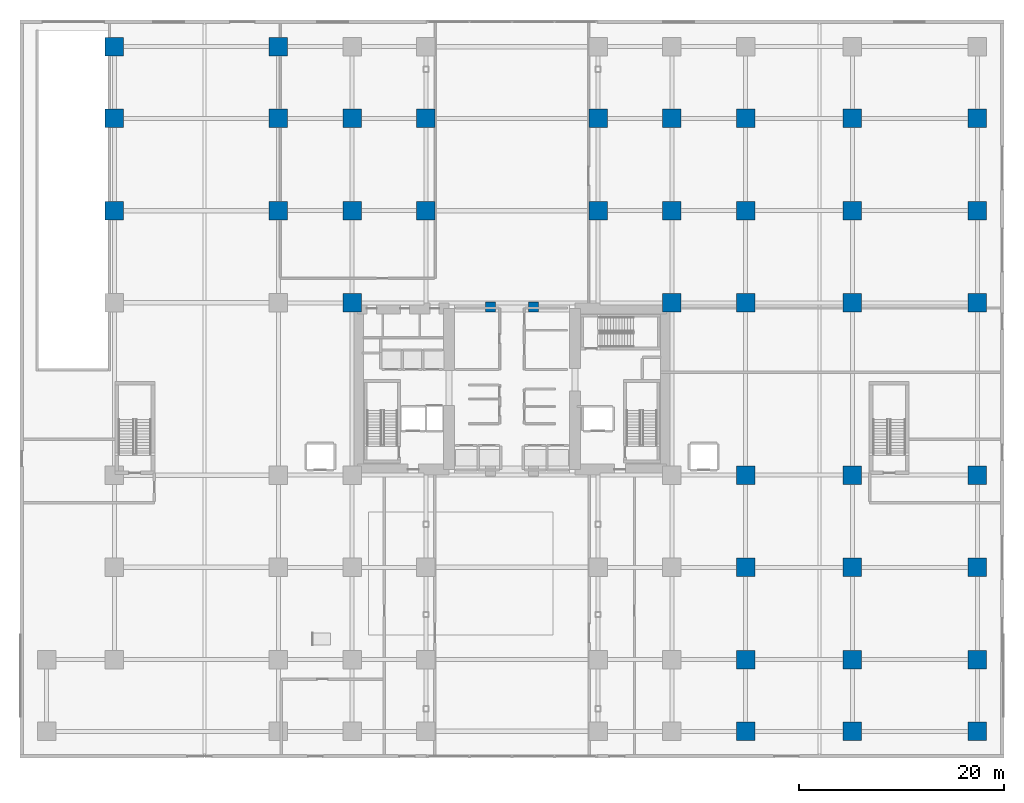
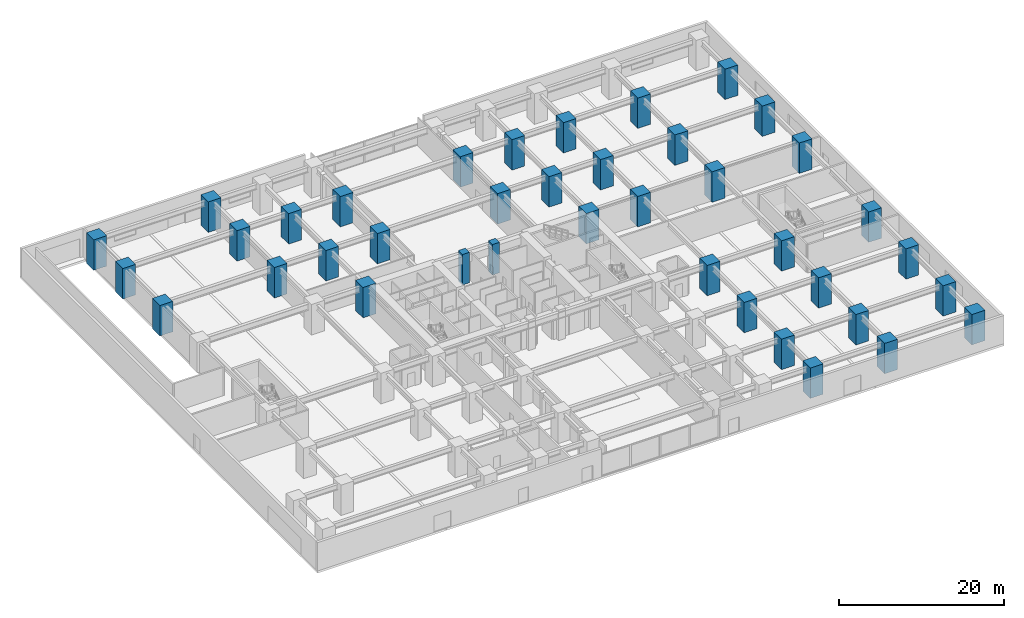
# One storey, part 2 of 26: 39 columns.
"""IFC4 building model written with IfcOpenShell, lengths in metres."""

from ifc_helpers import new_model, si_unit, direction, frame, origin, origin_2d, place, context, subcontext, project, spatial, rectangle, extrude, material, material_profile, profile_set, type_object, element, save


model = new_model("IFC4")

# Units and contexts
model_context = context("Model", 3, precision=1e-05, world=origin(), true_north=direction((0.0, 1.0)))
body_context = subcontext(model_context, "Body", "Model", "MODEL_VIEW")
ifc_project = project(units=[si_unit("LENGTHUNIT", "METRE"), si_unit("AREAUNIT", "SQUARE_METRE"), si_unit("VOLUMEUNIT", "CUBIC_METRE"), si_unit("PLANEANGLEUNIT", "RADIAN"), si_unit("MASSUNIT", "GRAM", prefix="KILO")], contexts=[model_context])

# Site, building, storey
site_placement = place(None, origin())
site = spatial("IfcSite", under=ifc_project, at=site_placement, CompositionType="ELEMENT")
building_placement = place(site_placement, origin())
building = spatial("IfcBuilding", under=site, at=building_placement, Name="Kiyonajd Concourse Tower", CompositionType="ELEMENT")
storey_placement = place(building_placement, origin())
storey = spatial("IfcBuildingStorey", under=building, at=storey_placement, Name="L01", CompositionType="ELEMENT", Elevation=0.0)

# Columns
ifc_material_1 = material(Name="Concrete C80/95", Category="concrete")
ifc_material_profile_1 = material_profile(ifc_material_1, rectangle(XDim=1.800048828125, YDim=1.800048828125, at=origin_2d()), Name="RC-1800x1800")
ifc_profile_set_1 = profile_set([ifc_material_profile_1], Name="Concrete C80/95")
column_type_1 = type_object("IfcColumnType", Name="CL-MEGA-1800", PredefinedType="COLUMN", material=ifc_profile_set_1)
for number, where, z_axis, x_axis, name in (
    (1, (9.199951171875, 53.39990234375, 0.0), (0.0, 0.0, 1.0), (1.0, 0.0, 0.0), "L01 Podium Mega Column"),
    (2, (9.199951171875, 62.39990234375, 0.0), (0.0, 0.0, 1.0), (1.0, 0.0, 0.0), "L01 Podium Mega Column"),
    (3, (9.199951171875, 69.39990234375, 0.0), (0.0, 0.0, 1.0), (1.0, 0.0, 0.0), "L01 Podium Mega Column"),
    (4, (25.199951171875, 53.39990234375, 0.0), (0.0, 0.0, 1.0), (1.0, 0.0, 0.0), "L01 Podium Mega Column"),
    (5, (25.199951171875, 62.39990234375, 0.0), (0.0, 0.0, 1.0), (1.0, 0.0, 0.0), "L01 Podium Mega Column"),
    (6, (25.199951171875, 69.39990234375, 0.0), (0.0, 0.0, 1.0), (1.0, 0.0, 0.0), "L01 Podium Mega Column"),
    (7, (32.39990234375, 44.39990234375, 0.0), (0.0, 0.0, 1.0), (1.0, 0.0, 0.0), "L01 Podium Mega Column"),
    (8, (32.39990234375, 53.39990234375, 0.0), (0.0, 0.0, 1.0), (1.0, 0.0, 0.0), "L01 Podium Mega Column"),
    (9, (32.39990234375, 62.39990234375, 0.0), (0.0, 0.0, 1.0), (1.0, 0.0, 0.0), "L01 Podium Mega Column"),
    (10, (39.60009765625, 53.39990234375, 0.0), (0.0, 0.0, 1.0), (1.0, 0.0, 0.0), "L01 Podium Mega Column"),
    (11, (39.60009765625, 62.39990234375, 0.0), (0.0, 0.0, 1.0), (1.0, 0.0, 0.0), "L01 Podium Mega Column"),
    (12, (56.39990234375, 53.39990234375, 0.0), (0.0, 0.0, 1.0), (1.0, 0.0, 0.0), "L01 Podium Mega Column"),
    (13, (56.39990234375, 62.39990234375, 0.0), (0.0, 0.0, 1.0), (1.0, 0.0, 0.0), "L01 Podium Mega Column"),
    (14, (63.60009765625, 44.39990234375, 0.0), (0.0, 0.0, 1.0), (1.0, 0.0, 0.0), "L01 Podium Mega Column"),
    (15, (63.60009765625, 53.39990234375, 0.0), (0.0, 0.0, 1.0), (1.0, 0.0, 0.0), "L01 Podium Mega Column"),
    (16, (63.60009765625, 62.39990234375, 0.0), (0.0, 0.0, 1.0), (1.0, 0.0, 0.0), "L01 Podium Mega Column"),
    (17, (70.800048828125, 2.60009765625, 0.0), (0.0, 0.0, 1.0), (1.0, 0.0, 0.0), "L01 Podium Mega Column"),
    (18, (70.800048828125, 9.60009765625, 0.0), (0.0, 0.0, 1.0), (1.0, 0.0, 0.0), "L01 Podium Mega Column"),
    (19, (70.800048828125, 18.60009765625, 0.0), (0.0, 0.0, 1.0), (1.0, 0.0, 0.0), "L01 Podium Mega Column"),
    (20, (70.800048828125, 27.60009765625, 0.0), (0.0, 0.0, 1.0), (1.0, 0.0, 0.0), "L01 Podium Mega Column"),
    (21, (70.800048828125, 44.39990234375, 0.0), (0.0, 0.0, 1.0), (1.0, 0.0, 0.0), "L01 Podium Mega Column"),
    (22, (70.800048828125, 53.39990234375, 0.0), (0.0, 0.0, 1.0), (1.0, 0.0, 0.0), "L01 Podium Mega Column"),
    (23, (70.800048828125, 62.39990234375, 0.0), (0.0, 0.0, 1.0), (1.0, 0.0, 0.0), "L01 Podium Mega Column"),
    (24, (81.199951171875, 2.60009765625, 0.0), (0.0, 0.0, 1.0), (1.0, 0.0, 0.0), "L01 Podium Mega Column"),
    (25, (81.199951171875, 9.60009765625, 0.0), (0.0, 0.0, 1.0), (1.0, 0.0, 0.0), "L01 Podium Mega Column"),
    (26, (81.199951171875, 18.60009765625, 0.0), (0.0, 0.0, 1.0), (1.0, 0.0, 0.0), "L01 Podium Mega Column"),
    (27, (81.199951171875, 27.60009765625, 0.0), (0.0, 0.0, 1.0), (1.0, 0.0, 0.0), "L01 Podium Mega Column"),
    (28, (81.199951171875, 44.39990234375, 0.0), (0.0, 0.0, 1.0), (1.0, 0.0, 0.0), "L01 Podium Mega Column"),
    (29, (81.199951171875, 53.39990234375, 0.0), (0.0, 0.0, 1.0), (1.0, 0.0, 0.0), "L01 Podium Mega Column"),
    (30, (81.199951171875, 62.39990234375, 0.0), (0.0, 0.0, 1.0), (1.0, 0.0, 0.0), "L01 Podium Mega Column"),
    (31, (93.39990234375, 2.60009765625, 0.0), (0.0, 0.0, 1.0), (1.0, 0.0, 0.0), "L01 Podium Mega Column"),
    (32, (93.39990234375, 9.60009765625, 0.0), (0.0, 0.0, 1.0), (1.0, 0.0, 0.0), "L01 Podium Mega Column"),
    (33, (93.39990234375, 18.60009765625, 0.0), (0.0, 0.0, 1.0), (1.0, 0.0, 0.0), "L01 Podium Mega Column"),
    (34, (93.39990234375, 27.60009765625, 0.0), (0.0, 0.0, 1.0), (1.0, 0.0, 0.0), "L01 Podium Mega Column"),
    (35, (93.39990234375, 44.39990234375, 0.0), (0.0, 0.0, 1.0), (1.0, 0.0, 0.0), "L01 Podium Mega Column"),
    (36, (93.39990234375, 53.39990234375, 0.0), (0.0, 0.0, 1.0), (1.0, 0.0, 0.0), "L01 Podium Mega Column"),
    (37, (93.39990234375, 62.39990234375, 0.0), (0.0, 0.0, 1.0), (1.0, 0.0, 0.0), "L01 Podium Mega Column"),
):
    element("IfcColumn", number, at=place(storey_placement, frame(where, z_axis=z_axis, x_axis=x_axis)), inside=storey, type_object=column_type_1, Name=name, PredefinedType="COLUMN", context=body_context, shape_type="SweptSolid", body=[
        extrude(rectangle(XDim=1.800048828125, YDim=1.800048828125, at=origin_2d()), origin(), (0.0, 0.0, 1.0), 4.5),
    ])
ifc_material_2 = material(Name="Concrete C60/75", Category="concrete")
ifc_material_profile_2 = material_profile(ifc_material_2, rectangle(XDim=1.0, YDim=1.0, at=origin_2d()), Name="RC-1000x1000")
ifc_profile_set_2 = profile_set([ifc_material_profile_2], Name="Concrete C60/75")
column_type_2 = type_object("IfcColumnType", Name="CL-TUBE-1000", PredefinedType="COLUMN", material=ifc_profile_set_2)
for number, where, z_axis, x_axis, name in (
    (38, (45.89990234375, 44.0, 0.0), (0.0, 0.0, 1.0), (1.0, 0.0, 0.0), "L01 Core Tie Column North West"),
    (39, (50.10009765625, 44.0, 0.0), (0.0, 0.0, 1.0), (1.0, 0.0, 0.0), "L01 Core Tie Column North East"),
):
    element("IfcColumn", number, at=place(storey_placement, frame(where, z_axis=z_axis, x_axis=x_axis)), inside=storey, type_object=column_type_2, Name=name, PredefinedType="COLUMN", context=body_context, shape_type="SweptSolid", body=[
        extrude(rectangle(XDim=1.0, YDim=1.0, at=origin_2d()), origin(), (0.0, 0.0, 1.0), 4.5),
    ])

save(model, "model.ifc")
